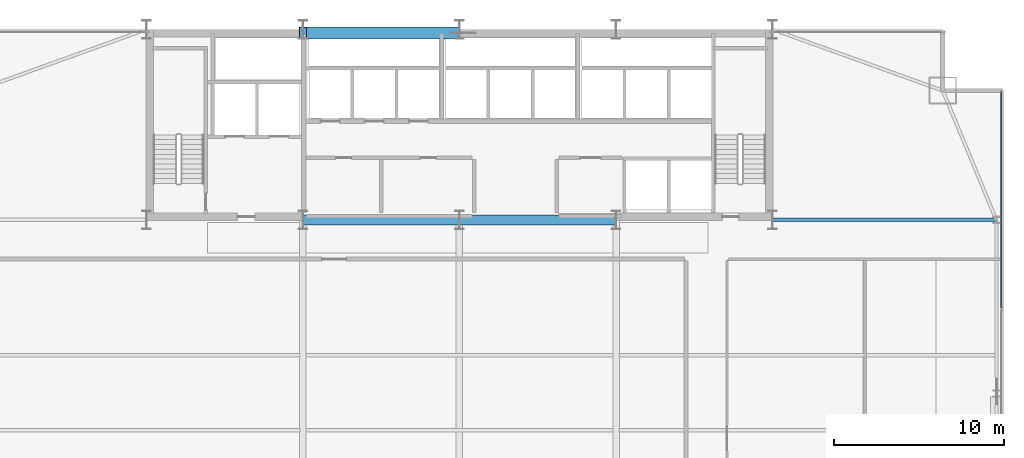
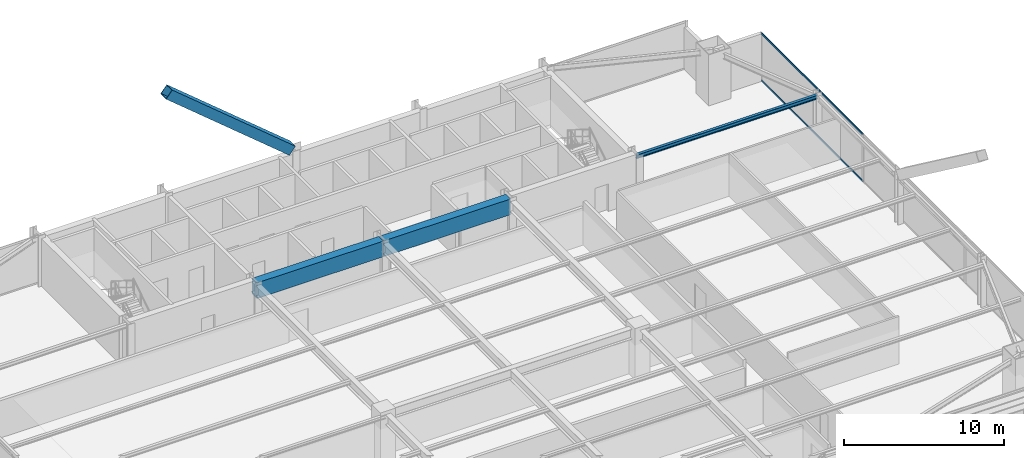
# One storey, part 21 of 34: 3 beams, 3 members, 1 element without a shape of its own.
"""IFC4 building model written with IfcOpenShell, lengths in metres."""

from ifc_helpers import new_model, si_unit, direction, frame, origin, origin_2d, place, context, subcontext, project, spatial, rectangle, hollow_rectangle, i_section, extrude, source, transform, mapped, material, layer, layer_set, material_profile, profile_set, type_object, type_shapes, element, aggregate, save


model = new_model("IFC4")

# Units and contexts
model_context = context("Model", 3, precision=1e-05, world=origin(), true_north=direction((0.0, 1.0)))
body_context = subcontext(model_context, "Body", "Model", "MODEL_VIEW")
ifc_project = project(units=[si_unit("LENGTHUNIT", "METRE"), si_unit("AREAUNIT", "SQUARE_METRE"), si_unit("VOLUMEUNIT", "CUBIC_METRE"), si_unit("PLANEANGLEUNIT", "RADIAN"), si_unit("MASSUNIT", "GRAM", prefix="KILO")], contexts=[model_context])

# Site, building, storey
site_placement = place(None, origin())
site = spatial("IfcSite", under=ifc_project, at=site_placement, CompositionType="ELEMENT")
building_placement = place(site_placement, origin())
building = spatial("IfcBuilding", under=site, at=building_placement, Name="Varnel Quay Broadcast Tower", CompositionType="ELEMENT")
storey_placement = place(building_placement, frame((0.0, 0.0, 47.10009765625)))
storey = spatial("IfcBuildingStorey", under=building, at=storey_placement, Name="L10", CompositionType="ELEMENT", Elevation=47.10009765625)

# Beams
ifc_material_1 = material(Name="Concrete CSA A23.3 C60/75", Category="concrete")
ifc_material_profile_1 = material_profile(ifc_material_1, rectangle(XDim=0.60009765625, YDim=1.199951171875, at=origin_2d()), Name="RC600X1200")
ifc_profile_set_1 = profile_set([ifc_material_profile_1], Name="Concrete CSA A23.3 C60/75")
beam_type_1 = type_object("IfcBeamType", Name="Beam_RC600X1200", PredefinedType="BEAM", material=ifc_profile_set_1)
shared_shape_1 = source(origin(), body_context, "Body", "SweptSolid", [
    extrude(rectangle(XDim=0.60009765625, YDim=1.199951171875, at=origin_2d()), origin(), (0.0, 0.0, 1.0), 9.159912109375),
])
type_shapes(beam_type_1, [shared_shape_1])
for number, where, z_axis, x_axis, name in (
    (1, (24.820068359375, 35.60009765625, 3.0498046875), (1.0, 0.0, 0.0), (0.0, 1.0, 0.0), "L10 Core Coupling Beam W"),
    (2, (34.02001953125, 35.60009765625, 3.0498046875), (1.0, 0.0, 0.0), (0.0, 1.0, 0.0), "L10 Core Coupling Beam E"),
):
    element("IfcBeam", number, at=place(storey_placement, frame(where, z_axis=z_axis, x_axis=x_axis)), inside=storey, type_object=beam_type_1, Name=name, PredefinedType="BEAM", context=body_context, shape_type="MappedRepresentation", body=[
        mapped(shared_shape_1, transform((0.0, 0.0, 0.0), x_axis=(1.0, 0.0, 0.0), y_axis=(0.0, 1.0, 0.0), z_axis=(0.0, 0.0, 1.0), scale=1.0)),
    ])
ifc_material_2 = material(Name="Structural Steel CSA G40.21 350W", Category="steel")
ifc_material_profile_2 = material_profile(ifc_material_2, i_section(OverallWidth=0.202880859375, OverallDepth=0.302978515625, WebThickness=0.007568359375, FlangeThickness=0.01318359375, FilletRadius=0.011962890625, at=origin_2d()), Name="W310X60")
ifc_profile_set_2 = profile_set([ifc_material_profile_2], Name="Structural Steel CSA G40.21 350W")
beam_type_2 = type_object("IfcBeamType", Name="Beam_W310X60", PredefinedType="JOIST", material=ifc_profile_set_2)
shared_shape_2 = source(origin(), body_context, "Body", "SweptSolid", [
    extrude(i_section(OverallWidth=0.202880859375, OverallDepth=0.302978515625, WebThickness=0.007568359375, FlangeThickness=0.01318359375, FilletRadius=0.011962890625, at=origin_2d()), origin(), (0.0, 0.0, 1.0), 13.110107421875),
])
type_shapes(beam_type_2, [shared_shape_2])
beam_placement = place(storey_placement, frame((52.419921875, 35.60009765625, 3.498291015625), z_axis=(1.0, 0.0, 0.0), x_axis=(0.0, 1.0, 0.0)))
element("IfcBeam", 3, at=beam_placement, inside=storey, type_object=beam_type_2, Name="L10 East Core Tie Joist", PredefinedType="JOIST", context=body_context, shape_type="MappedRepresentation", body=[
    mapped(shared_shape_2, transform((0.0, 0.0, 0.0), x_axis=(1.0, 0.0, 0.0), y_axis=(0.0, 1.0, 0.0), z_axis=(0.0, 0.0, 1.0), scale=1.0)),
])

# Member
ifc_material_3 = material(Name="Structural Steel CSA G40.21 350WT", Category="steel")
ifc_material_profile_3 = material_profile(ifc_material_3, hollow_rectangle(XDim=0.699951171875, YDim=0.699951171875, WallThickness=0.031982421875, at=origin_2d()), Name="BOX700X700X32")
ifc_profile_set_3 = profile_set([ifc_material_profile_3], Name="Structural Steel CSA G40.21 350WT")
member_type_1 = type_object("IfcMemberType", Name="Brace_BOX700X700X32", PredefinedType="BRACE", material=ifc_profile_set_3)
shared_shape_3 = source(origin(), body_context, "Body", "SweptSolid", [
    extrude(hollow_rectangle(XDim=0.699951171875, YDim=0.699951171875, WallThickness=0.031982421875, at=origin_2d()), origin(), (0.0, 0.0, 1.0), 11.58740234375),
])
type_shapes(member_type_1, [shared_shape_3])
member_1_placement = place(storey_placement, frame((33.707275390625, 46.580078125, 4.0185546875), z_axis=(-0.768701172799, 0.0, 0.63960808855), x_axis=(0.0, -1.0, 0.0)))
element("IfcMember", 4, at=member_1_placement, inside=storey, type_object=member_type_1, Name="Zone 1 Mega-Brace N-CT2 Split Diag B2", PredefinedType="BRACE", context=body_context, shape_type="MappedRepresentation", body=[
    mapped(shared_shape_3, transform((0.0, 0.0, 0.0), x_axis=(1.0, 0.0, 0.0), y_axis=(0.0, 1.0, 0.0), z_axis=(0.0, 0.0, 1.0), scale=1.0)),
])

# Curtain wall, members
ifc_material_4 = material(Name="Anodised Bronze Aluminium 6063-T6", Category="aluminium")
ifc_layer = layer(ifc_material_4, 0.18994140625, Name="Anodised Bronze Aluminium 6063-T6")
ifc_layer_set = layer_set([ifc_layer], Name="Anodised Bronze Aluminium 6063-T6")
curtain_wall_type = type_object("IfcCurtainWallType", Name="CW_LowerTower", PredefinedType="NOTDEFINED", material=ifc_layer_set)
curtain_wall_placement = place(storey_placement, origin())
curtain_wall = element("IfcCurtainWall", 5, at=curtain_wall_placement, inside=storey, type_object=curtain_wall_type, Name="L10 East Unitised Curtain Wall", PredefinedType="NOTDEFINED")
ifc_material_profile_4 = material_profile(ifc_material_4, hollow_rectangle(XDim=0.06005859375, YDim=0.14501953125, WallThickness=0.00341796875, at=origin_2d()), Name="ALU60X145X3.5")
ifc_profile_set_4 = profile_set([ifc_material_profile_4], Name="Anodised Bronze Aluminium 6063-T6")
member_type_2 = type_object("IfcMemberType", Name="Tran_CWS-02", PredefinedType="USERDEFINED", material=ifc_profile_set_4)
shared_shape_4 = source(origin(), body_context, "Body", "SweptSolid", [
    extrude(hollow_rectangle(XDim=0.06005859375, YDim=0.14501953125, WallThickness=0.00341796875, at=origin_2d()), origin(), (0.0, 0.0, 1.0), 12.69482421875),
])
type_shapes(member_type_2, [shared_shape_4])
member_2_placement = place(storey_placement, frame((65.85009765625, 30.43505859375, 0.02978515625), z_axis=(0.0, 1.0, 0.0), x_axis=(-1.0, 0.0, 0.0)))
member_2 = element("IfcMember", 6, at=member_2_placement, type_object=member_type_2, Name="CWS-02 transom 3.1", ObjectType="TRANSOM", PredefinedType="USERDEFINED", context=body_context, shape_type="MappedRepresentation", body=[
    mapped(shared_shape_4, transform((0.0, 0.0, 0.0), x_axis=(1.0, 0.0, 0.0), y_axis=(0.0, 1.0, 0.0), z_axis=(0.0, 0.0, 1.0), scale=1.0)),
])
member_3_placement = place(storey_placement, frame((65.85009765625, 30.43505859375, 3.619873046875), z_axis=(0.0, 1.0, 0.0), x_axis=(-1.0, 0.0, 0.0)))
member_3 = element("IfcMember", 7, at=member_3_placement, type_object=member_type_2, Name="CWS-02 transom 3.2", ObjectType="TRANSOM", PredefinedType="USERDEFINED", context=body_context, shape_type="MappedRepresentation", body=[
    mapped(shared_shape_4, transform((0.0, 0.0, 0.0), x_axis=(1.0, 0.0, 0.0), y_axis=(0.0, 1.0, 0.0), z_axis=(0.0, 0.0, 1.0), scale=1.0)),
])
aggregate(curtain_wall, [member_2, member_3])

save(model, "model.ifc")
